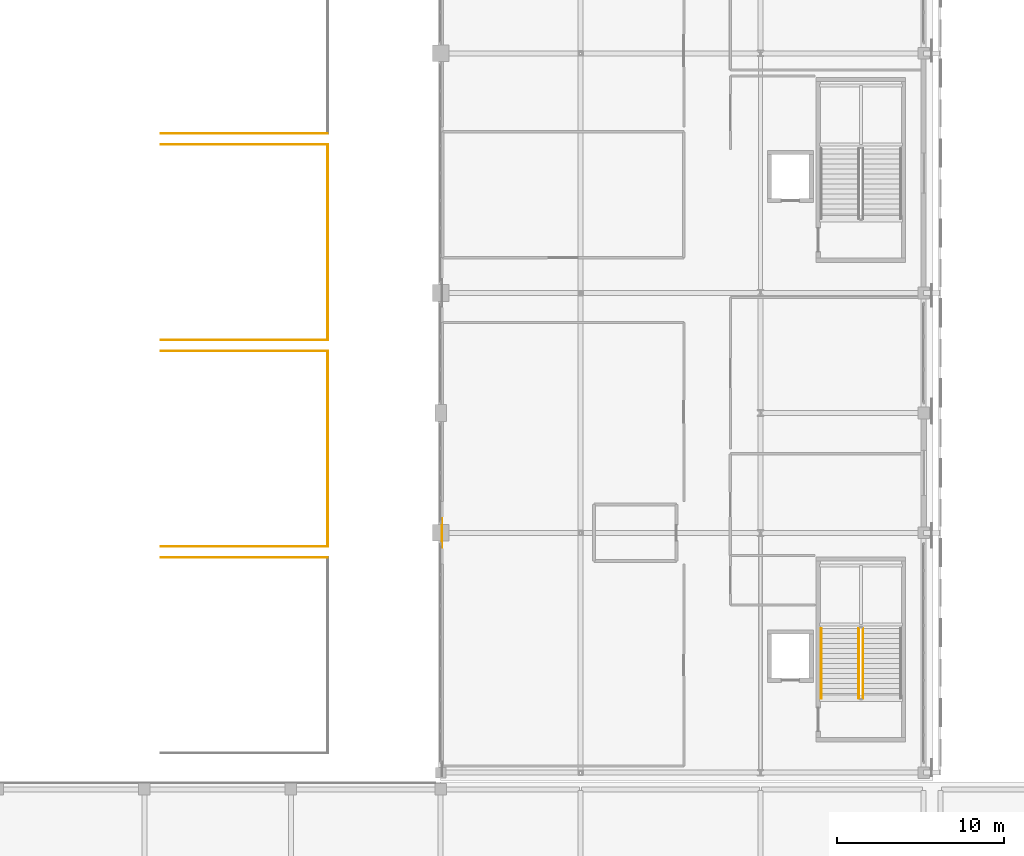
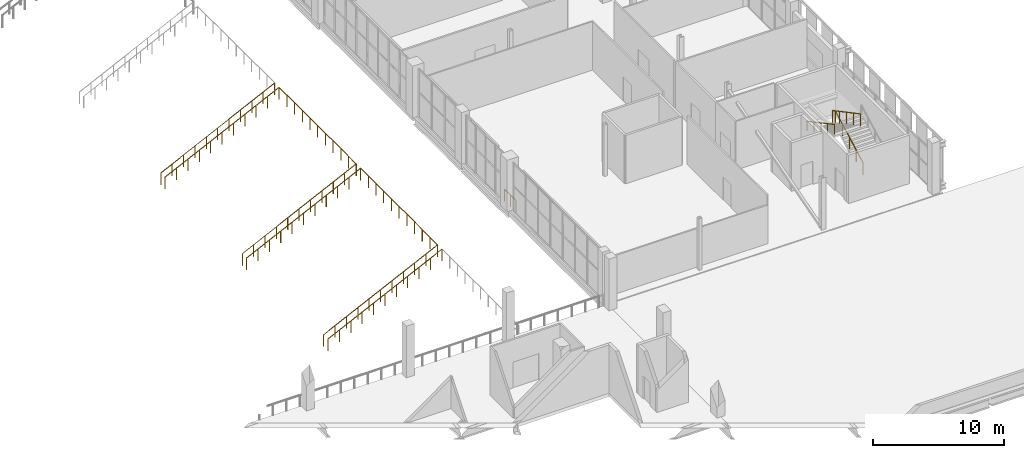
# One storey, part 94 of 104: 12 railings.
"""IFC4 building model written with IfcOpenShell, lengths in metres."""

from ifc_helpers import new_model, si_unit, direction, frame, origin, origin_2d, place, context, subcontext, project, spatial, circle, extrude, material, type_object, element, save


model = new_model("IFC4")

# Units and contexts
model_context = context("Model", 3, precision=1e-05, world=origin(), true_north=direction((0.0, 1.0)))
body_context = subcontext(model_context, "Body", "Model", "MODEL_VIEW")
ifc_project = project(units=[si_unit("LENGTHUNIT", "METRE"), si_unit("AREAUNIT", "SQUARE_METRE"), si_unit("VOLUMEUNIT", "CUBIC_METRE"), si_unit("PLANEANGLEUNIT", "RADIAN"), si_unit("MASSUNIT", "GRAM", prefix="KILO")], contexts=[model_context])

# Site, building, storey
site_placement = place(None, origin())
site = spatial("IfcSite", under=ifc_project, at=site_placement, CompositionType="ELEMENT")
building_placement = place(site_placement, origin())
building = spatial("IfcBuilding", under=site, at=building_placement, Name="Koshinbarg Plaza Stadium", CompositionType="ELEMENT")
storey_placement = place(building_placement, frame((0.0, 0.0, 19.800048828125)))
storey = spatial("IfcBuildingStorey", under=building, at=storey_placement, Name="L04", CompositionType="ELEMENT", Elevation=19.800048828125)

# Railings
ifc_material_1 = material(Name="Toughened laminated glass and stainless steel sightline balustrade", Category="steel")
railing_type_1 = type_object("IfcRailingType", Name="RL-BOWL-1100", PredefinedType="BALUSTRADE", material=ifc_material_1)
railing_1_placement = place(storey_placement, frame((189.47998046875, 39.024658203125, 0.0)))
element("IfcRailing", 1, at=railing_1_placement, inside=storey, type_object=railing_type_1, Name="L04 deck edge safety balustrade 0305", PredefinedType="BALUSTRADE", context=body_context, shape_type="SweptSolid", body=[
    extrude(circle(Radius=0.02392578125, at=origin_2d()), frame((0.0, 0.0, 1.076171875), z_axis=(0.0, 1.0, 0.0), x_axis=(-1.0, 0.0, 0.0)), (0.0, 0.0, 1.0), 1.743408203125),
    extrude(circle(Radius=0.02099609375, at=origin_2d()), origin(), (0.0, 0.0, 1.0), 1.052001953125),
    extrude(circle(Radius=0.02099609375, at=origin_2d()), frame((0.0, 0.87158203125, 0.0)), (0.0, 0.0, 1.0), 1.052001953125),
    extrude(circle(Radius=0.02099609375, at=origin_2d()), frame((0.0, 1.743408203125, 0.0)), (0.0, 0.0, 1.0), 1.052001953125),
])
ifc_material_2 = material(Name="Galvanized painted steel guardrail", Category="steel")
railing_type_2 = type_object("IfcRailingType", Name="RL-GUARD-1100", PredefinedType="GUARDRAIL", material=ifc_material_2)
railing_2_placement = place(storey_placement, frame((172.60009765625, 38.419921875, -6.580078125)))
element("IfcRailing", 2, at=railing_2_placement, inside=storey, type_object=railing_type_2, Name="UT-E01 stepped aisle guard R", PredefinedType="GUARDRAIL", context=body_context, shape_type="SweptSolid", body=[
    extrude(circle(Radius=0.02392578125, at=origin_2d()), frame((0.0, 0.0, 1.076171875), z_axis=(0.900110607261, 0.0, 0.435661445043), x_axis=(0.0, 1.0, 0.0)), (0.0, 0.0, 1.0), 11.10986328125),
    extrude(circle(Radius=0.02099609375, at=origin_2d()), origin(), (0.0, 0.0, 1.0), 1.052001953125),
    extrude(circle(Radius=0.02099609375, at=origin_2d()), frame((1.0, 0.0, 0.48388671875)), (0.0, 0.0, 1.0), 1.052001953125),
    extrude(circle(Radius=0.02099609375, at=origin_2d()), frame((2.0, 0.0, 0.968017578125)), (0.0, 0.0, 1.0), 1.052001953125),
    extrude(circle(Radius=0.02099609375, at=origin_2d()), frame((3.0, 0.0, 1.4521484375)), (0.0, 0.0, 1.0), 1.052001953125),
    extrude(circle(Radius=0.02099609375, at=origin_2d()), frame((4.0, 0.0, 1.93603515625)), (0.0, 0.0, 1.0), 1.052001953125),
    extrude(circle(Radius=0.02099609375, at=origin_2d()), frame((5.0, 0.0, 2.419921875)), (0.0, 0.0, 1.0), 1.052001953125),
    extrude(circle(Radius=0.02099609375, at=origin_2d()), frame((6.0, 0.0, 2.904052734375)), (0.0, 0.0, 1.0), 1.052001953125),
    extrude(circle(Radius=0.02099609375, at=origin_2d()), frame((7.0, 0.0, 3.38818359375)), (0.0, 0.0, 1.0), 1.052001953125),
    extrude(circle(Radius=0.02099609375, at=origin_2d()), frame((8.0, 0.0, 3.8720703125)), (0.0, 0.0, 1.0), 1.052001953125),
    extrude(circle(Radius=0.02099609375, at=origin_2d()), frame((9.0, 0.0, 4.35595703125)), (0.0, 0.0, 1.0), 1.052001953125),
    extrude(circle(Radius=0.02099609375, at=origin_2d()), frame((10.0, 0.0, 4.840087890625)), (0.0, 0.0, 1.0), 1.052001953125),
])
railing_3_placement = place(storey_placement, frame((182.6201171875, 39.080078125, -1.739990234375)))
element("IfcRailing", 3, at=railing_3_placement, inside=storey, type_object=railing_type_2, Name="UT-E02 rear stand guard", PredefinedType="GUARDRAIL", context=body_context, shape_type="SweptSolid", body=[
    extrude(circle(Radius=0.02392578125, at=origin_2d()), frame((0.0, 0.0, 1.076171875), z_axis=(0.0, 1.0, 0.0), x_axis=(-1.0, 0.0, 0.0)), (0.0, 0.0, 1.0), 11.739990234375),
    extrude(circle(Radius=0.02099609375, at=origin_2d()), origin(), (0.0, 0.0, 1.0), 1.052001953125),
    extrude(circle(Radius=0.02099609375, at=origin_2d()), frame((0.0, 1.174072265625, 0.0)), (0.0, 0.0, 1.0), 1.052001953125),
    extrude(circle(Radius=0.02099609375, at=origin_2d()), frame((0.0, 2.347900390625, 0.0)), (0.0, 0.0, 1.0), 1.052001953125),
    extrude(circle(Radius=0.02099609375, at=origin_2d()), frame((0.0, 3.52197265625, 0.0)), (0.0, 0.0, 1.0), 1.052001953125),
    extrude(circle(Radius=0.02099609375, at=origin_2d()), frame((0.0, 4.696044921875, 0.0)), (0.0, 0.0, 1.0), 1.052001953125),
    extrude(circle(Radius=0.02099609375, at=origin_2d()), frame((0.0, 5.8701171875, 0.0)), (0.0, 0.0, 1.0), 1.052001953125),
    extrude(circle(Radius=0.02099609375, at=origin_2d()), frame((0.0, 7.0439453125, 0.0)), (0.0, 0.0, 1.0), 1.052001953125),
    extrude(circle(Radius=0.02099609375, at=origin_2d()), frame((0.0, 8.218017578125, 0.0)), (0.0, 0.0, 1.0), 1.052001953125),
    extrude(circle(Radius=0.02099609375, at=origin_2d()), frame((0.0, 9.39208984375, 0.0)), (0.0, 0.0, 1.0), 1.052001953125),
    extrude(circle(Radius=0.02099609375, at=origin_2d()), frame((0.0, 10.56591796875, 0.0)), (0.0, 0.0, 1.0), 1.052001953125),
    extrude(circle(Radius=0.02099609375, at=origin_2d()), frame((0.0, 11.739990234375, 0.0)), (0.0, 0.0, 1.0), 1.052001953125),
])
for number, where, name in (
    (4, (172.60009765625, 39.080078125, -6.580078125), "UT-E02 stepped aisle guard L"),
    (5, (172.60009765625, 50.820068359375, -6.580078125), "UT-E02 stepped aisle guard R"),
):
    element("IfcRailing", number, at=place(storey_placement, frame(where)), inside=storey, type_object=railing_type_2, Name=name, PredefinedType="GUARDRAIL", context=body_context, shape_type="SweptSolid", body=[
        extrude(circle(Radius=0.02392578125, at=origin_2d()), frame((0.0, 0.0, 1.076171875), z_axis=(0.900110607261, 0.0, 0.435661445043), x_axis=(0.0, 1.0, 0.0)), (0.0, 0.0, 1.0), 11.10986328125),
        extrude(circle(Radius=0.02099609375, at=origin_2d()), origin(), (0.0, 0.0, 1.0), 1.052001953125),
        extrude(circle(Radius=0.02099609375, at=origin_2d()), frame((1.0, 0.0, 0.48388671875)), (0.0, 0.0, 1.0), 1.052001953125),
        extrude(circle(Radius=0.02099609375, at=origin_2d()), frame((2.0, 0.0, 0.968017578125)), (0.0, 0.0, 1.0), 1.052001953125),
        extrude(circle(Radius=0.02099609375, at=origin_2d()), frame((3.0, 0.0, 1.4521484375)), (0.0, 0.0, 1.0), 1.052001953125),
        extrude(circle(Radius=0.02099609375, at=origin_2d()), frame((4.0, 0.0, 1.93603515625)), (0.0, 0.0, 1.0), 1.052001953125),
        extrude(circle(Radius=0.02099609375, at=origin_2d()), frame((5.0, 0.0, 2.419921875)), (0.0, 0.0, 1.0), 1.052001953125),
        extrude(circle(Radius=0.02099609375, at=origin_2d()), frame((6.0, 0.0, 2.904052734375)), (0.0, 0.0, 1.0), 1.052001953125),
        extrude(circle(Radius=0.02099609375, at=origin_2d()), frame((7.0, 0.0, 3.38818359375)), (0.0, 0.0, 1.0), 1.052001953125),
        extrude(circle(Radius=0.02099609375, at=origin_2d()), frame((8.0, 0.0, 3.8720703125)), (0.0, 0.0, 1.0), 1.052001953125),
        extrude(circle(Radius=0.02099609375, at=origin_2d()), frame((9.0, 0.0, 4.35595703125)), (0.0, 0.0, 1.0), 1.052001953125),
        extrude(circle(Radius=0.02099609375, at=origin_2d()), frame((10.0, 0.0, 4.840087890625)), (0.0, 0.0, 1.0), 1.052001953125),
    ])
railing_4_placement = place(storey_placement, frame((182.6201171875, 51.47998046875, -1.739990234375)))
element("IfcRailing", 6, at=railing_4_placement, inside=storey, type_object=railing_type_2, Name="UT-E03 rear stand guard", PredefinedType="GUARDRAIL", context=body_context, shape_type="SweptSolid", body=[
    extrude(circle(Radius=0.02392578125, at=origin_2d()), frame((0.0, 0.0, 1.076171875), z_axis=(0.0, 1.0, 0.0), x_axis=(-1.0, 0.0, 0.0)), (0.0, 0.0, 1.0), 11.739990234375),
    extrude(circle(Radius=0.02099609375, at=origin_2d()), origin(), (0.0, 0.0, 1.0), 1.052001953125),
    extrude(circle(Radius=0.02099609375, at=origin_2d()), frame((0.0, 1.174072265625, 0.0)), (0.0, 0.0, 1.0), 1.052001953125),
    extrude(circle(Radius=0.02099609375, at=origin_2d()), frame((0.0, 2.347900390625, 0.0)), (0.0, 0.0, 1.0), 1.052001953125),
    extrude(circle(Radius=0.02099609375, at=origin_2d()), frame((0.0, 3.52197265625, 0.0)), (0.0, 0.0, 1.0), 1.052001953125),
    extrude(circle(Radius=0.02099609375, at=origin_2d()), frame((0.0, 4.696044921875, 0.0)), (0.0, 0.0, 1.0), 1.052001953125),
    extrude(circle(Radius=0.02099609375, at=origin_2d()), frame((0.0, 5.8701171875, 0.0)), (0.0, 0.0, 1.0), 1.052001953125),
    extrude(circle(Radius=0.02099609375, at=origin_2d()), frame((0.0, 7.0439453125, 0.0)), (0.0, 0.0, 1.0), 1.052001953125),
    extrude(circle(Radius=0.02099609375, at=origin_2d()), frame((0.0, 8.218017578125, 0.0)), (0.0, 0.0, 1.0), 1.052001953125),
    extrude(circle(Radius=0.02099609375, at=origin_2d()), frame((0.0, 9.39208984375, 0.0)), (0.0, 0.0, 1.0), 1.052001953125),
    extrude(circle(Radius=0.02099609375, at=origin_2d()), frame((0.0, 10.56591796875, 0.0)), (0.0, 0.0, 1.0), 1.052001953125),
    extrude(circle(Radius=0.02099609375, at=origin_2d()), frame((0.0, 11.739990234375, 0.0)), (0.0, 0.0, 1.0), 1.052001953125),
])
for number, where, name in (
    (7, (172.60009765625, 51.47998046875, -6.580078125), "UT-E03 stepped aisle guard L"),
    (8, (172.60009765625, 63.219970703125, -6.580078125), "UT-E03 stepped aisle guard R"),
    (9, (172.60009765625, 63.8798828125, -6.580078125), "UT-E04 stepped aisle guard L"),
):
    element("IfcRailing", number, at=place(storey_placement, frame(where)), inside=storey, type_object=railing_type_2, Name=name, PredefinedType="GUARDRAIL", context=body_context, shape_type="SweptSolid", body=[
        extrude(circle(Radius=0.02392578125, at=origin_2d()), frame((0.0, 0.0, 1.076171875), z_axis=(0.900110607261, 0.0, 0.435661445043), x_axis=(0.0, 1.0, 0.0)), (0.0, 0.0, 1.0), 11.10986328125),
        extrude(circle(Radius=0.02099609375, at=origin_2d()), origin(), (0.0, 0.0, 1.0), 1.052001953125),
        extrude(circle(Radius=0.02099609375, at=origin_2d()), frame((1.0, 0.0, 0.48388671875)), (0.0, 0.0, 1.0), 1.052001953125),
        extrude(circle(Radius=0.02099609375, at=origin_2d()), frame((2.0, 0.0, 0.968017578125)), (0.0, 0.0, 1.0), 1.052001953125),
        extrude(circle(Radius=0.02099609375, at=origin_2d()), frame((3.0, 0.0, 1.4521484375)), (0.0, 0.0, 1.0), 1.052001953125),
        extrude(circle(Radius=0.02099609375, at=origin_2d()), frame((4.0, 0.0, 1.93603515625)), (0.0, 0.0, 1.0), 1.052001953125),
        extrude(circle(Radius=0.02099609375, at=origin_2d()), frame((5.0, 0.0, 2.419921875)), (0.0, 0.0, 1.0), 1.052001953125),
        extrude(circle(Radius=0.02099609375, at=origin_2d()), frame((6.0, 0.0, 2.904052734375)), (0.0, 0.0, 1.0), 1.052001953125),
        extrude(circle(Radius=0.02099609375, at=origin_2d()), frame((7.0, 0.0, 3.38818359375)), (0.0, 0.0, 1.0), 1.052001953125),
        extrude(circle(Radius=0.02099609375, at=origin_2d()), frame((8.0, 0.0, 3.8720703125)), (0.0, 0.0, 1.0), 1.052001953125),
        extrude(circle(Radius=0.02099609375, at=origin_2d()), frame((9.0, 0.0, 4.35595703125)), (0.0, 0.0, 1.0), 1.052001953125),
        extrude(circle(Radius=0.02099609375, at=origin_2d()), frame((10.0, 0.0, 4.840087890625)), (0.0, 0.0, 1.0), 1.052001953125),
    ])
railing_5_placement = place(storey_placement, frame((214.760009765625, 29.9599609375, 0.159912109375)))
element("IfcRailing", 10, at=railing_5_placement, inside=storey, type_object=railing_type_2, Name="L04 C07 stair guard 1", PredefinedType="GUARDRAIL", context=body_context, shape_type="SweptSolid", body=[
    extrude(circle(Radius=0.02392578125, at=origin_2d()), frame((0.0, 0.0, 1.076171875), z_axis=(0.0, 0.882351521365, 0.470590897432), x_axis=(-1.0, 0.0, 0.0)), (0.0, 0.0, 1.0), 4.760009765625),
    extrude(circle(Radius=0.02099609375, at=origin_2d()), origin(), (0.0, 0.0, 1.0), 1.052001953125),
    extrude(circle(Radius=0.02099609375, at=origin_2d()), frame((0.0, 1.050048828125, 0.56005859375)), (0.0, 0.0, 1.0), 1.052001953125),
    extrude(circle(Radius=0.02099609375, at=origin_2d()), frame((0.0, 2.10009765625, 1.1201171875)), (0.0, 0.0, 1.0), 1.052001953125),
    extrude(circle(Radius=0.02099609375, at=origin_2d()), frame((0.0, 3.14990234375, 1.679931640625)), (0.0, 0.0, 1.0), 1.052001953125),
    extrude(circle(Radius=0.02099609375, at=origin_2d()), frame((0.0, 4.199951171875, 2.239990234375)), (0.0, 0.0, 1.0), 1.052001953125),
])
railing_6_placement = place(storey_placement, frame((214.510009765625, 34.159912109375, 2.56005859375)))
element("IfcRailing", 11, at=railing_6_placement, inside=storey, type_object=railing_type_2, Name="L04 C07 stair guard 3", PredefinedType="GUARDRAIL", context=body_context, shape_type="SweptSolid", body=[
    extrude(circle(Radius=0.02392578125, at=origin_2d()), frame((0.0, 0.0, 1.076171875), z_axis=(0.0, -0.882351521365, 0.470590897432), x_axis=(1.0, 0.0, 0.0)), (0.0, 0.0, 1.0), 4.760009765625),
    extrude(circle(Radius=0.02099609375, at=origin_2d()), origin(), (0.0, 0.0, 1.0), 1.052001953125),
    extrude(circle(Radius=0.02099609375, at=origin_2d()), frame((0.0, -1.050048828125, 0.56005859375)), (0.0, 0.0, 1.0), 1.052001953125),
    extrude(circle(Radius=0.02099609375, at=origin_2d()), frame((0.0, -2.10009765625, 1.1201171875)), (0.0, 0.0, 1.0), 1.052001953125),
    extrude(circle(Radius=0.02099609375, at=origin_2d()), frame((0.0, -3.14990234375, 1.679931640625)), (0.0, 0.0, 1.0), 1.052001953125),
    extrude(circle(Radius=0.02099609375, at=origin_2d()), frame((0.0, -4.199951171875, 2.239990234375)), (0.0, 0.0, 1.0), 1.052001953125),
])
ifc_material_3 = material(Name="Brushed stainless steel handrail", Category="steel")
railing_type_3 = type_object("IfcRailingType", Name="RL-HAND-900", PredefinedType="HANDRAIL", material=ifc_material_3)
railing_7_placement = place(storey_placement, frame((212.25, 34.159912109375, 2.56005859375)))
element("IfcRailing", 12, at=railing_7_placement, inside=storey, type_object=railing_type_3, Name="L04 C07 stair handrail 2", PredefinedType="HANDRAIL", context=body_context, shape_type="SweptSolid", body=[
    extrude(circle(Radius=0.02392578125, at=origin_2d()), frame((0.0, 0.0, 0.8759765625), z_axis=(0.0, -0.882351521365, 0.470590897432), x_axis=(1.0, 0.0, 0.0)), (0.0, 0.0, 1.0), 4.760009765625),
    extrude(circle(Radius=0.02099609375, at=origin_2d()), origin(), (0.0, 0.0, 1.0), 0.851806640625),
    extrude(circle(Radius=0.02099609375, at=origin_2d()), frame((0.0, -1.050048828125, 0.56005859375)), (0.0, 0.0, 1.0), 0.851806640625),
    extrude(circle(Radius=0.02099609375, at=origin_2d()), frame((0.0, -2.10009765625, 1.1201171875)), (0.0, 0.0, 1.0), 0.851806640625),
    extrude(circle(Radius=0.02099609375, at=origin_2d()), frame((0.0, -3.14990234375, 1.679931640625)), (0.0, 0.0, 1.0), 0.851806640625),
    extrude(circle(Radius=0.02099609375, at=origin_2d()), frame((0.0, -4.199951171875, 2.239990234375)), (0.0, 0.0, 1.0), 0.851806640625),
])

save(model, "model.ifc")
